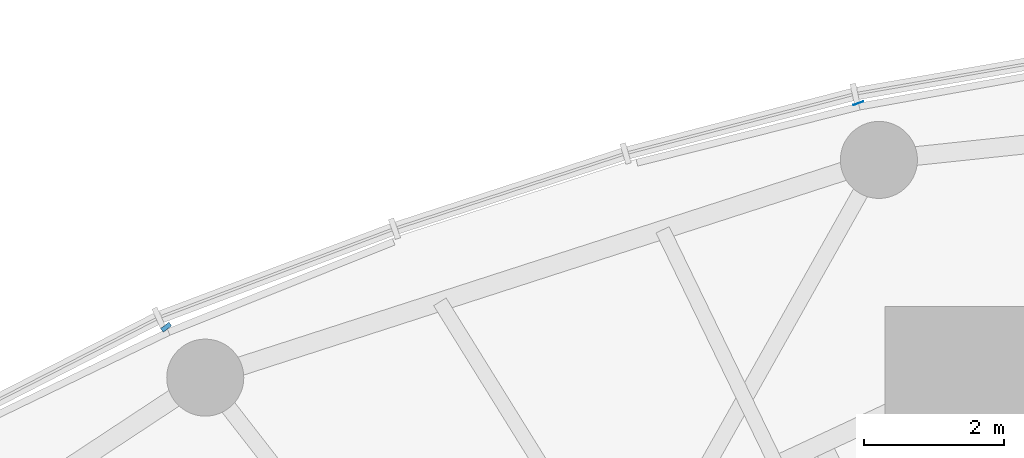
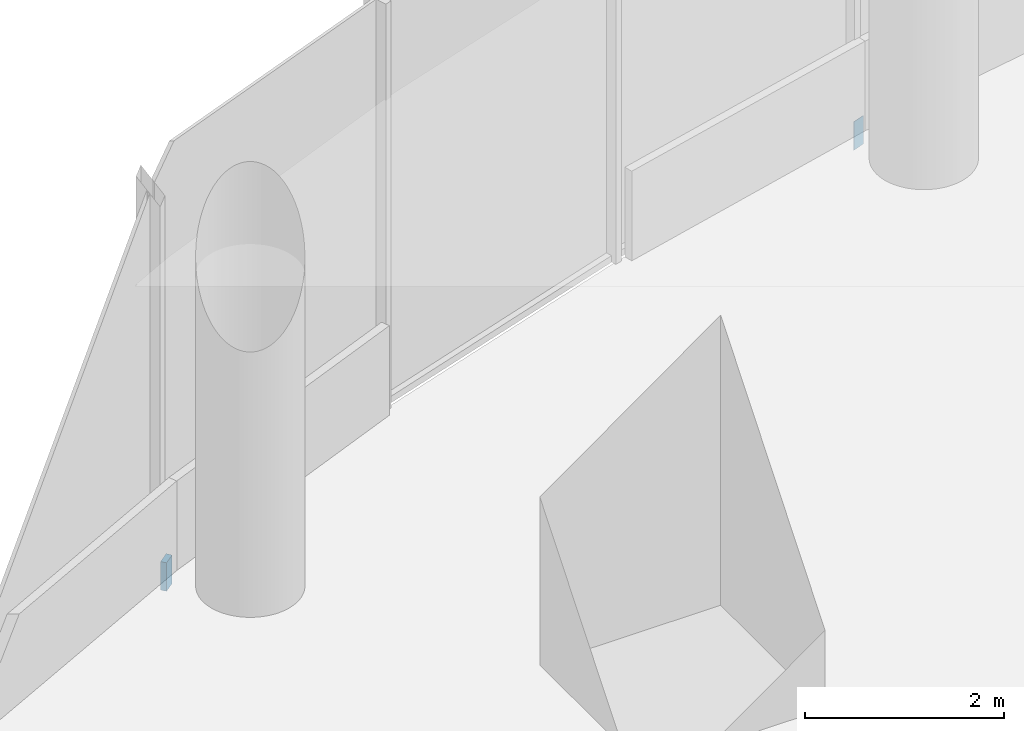
# One storey, part 18 of 27: 2 discrete accessories.
"""IFC4 building model written with IfcOpenShell, lengths in metres."""

from ifc_helpers import new_model, si_unit, direction, frame, origin, origin_2d, place, context, subcontext, project, spatial, rectangle, extrude, material, type_object, element, save


model = new_model("IFC4")

# Units and contexts
model_context = context("Model", 3, precision=1e-05, world=origin(), true_north=direction((0.0, 1.0)))
body_context = subcontext(model_context, "Body", "Model", "MODEL_VIEW")
ifc_project = project(units=[si_unit("LENGTHUNIT", "METRE"), si_unit("AREAUNIT", "SQUARE_METRE"), si_unit("VOLUMEUNIT", "CUBIC_METRE"), si_unit("PLANEANGLEUNIT", "RADIAN"), si_unit("MASSUNIT", "GRAM", prefix="KILO")], contexts=[model_context])

# Site, building, storey
site_placement = place(None, origin())
site = spatial("IfcSite", under=ifc_project, at=site_placement, CompositionType="ELEMENT")
building_placement = place(site_placement, origin())
building = spatial("IfcBuilding", under=site, at=building_placement, Name="Ghaith Harvest Tower", CompositionType="ELEMENT")
storey_placement = place(building_placement, frame((0.0, 0.0, 10.0)))
storey = spatial("IfcBuildingStorey", under=building, at=storey_placement, Name="L02", CompositionType="ELEMENT", Elevation=10.0)

# Discrete accessories
ifc_material_1 = material(Name="Stainless steel grade 1.4401", Category="steel")
discrete_accessory_type_1 = type_object("IfcDiscreteAccessoryType", Name="CURTAIN WALL BRACKET 5", PredefinedType="BRACKET", material=ifc_material_1)
discrete_accessory_1_placement = place(storey_placement, frame((-10.75439453125, 29.775634765625, -0.25), z_axis=(0.0, 0.0, 1.0), x_axis=(-0.339699453402, 0.94053404051, 0.0)))
element("IfcDiscreteAccessory", 1, at=discrete_accessory_1_placement, inside=storey, type_object=discrete_accessory_type_1, Name="CW-P bracket 1 bay 07 L02", PredefinedType="BRACKET", context=body_context, shape_type="SweptSolid", body=[
    extrude(rectangle(XDim=0.0048828125, YDim=0.14990234375, at=origin_2d()), origin(), (0.0, 0.0, 1.0), 0.35009765625),
])
ifc_material_2 = material(Name="Stainless steel grade 1.4401", Category="steel")
discrete_accessory_type_2 = type_object("IfcDiscreteAccessoryType", Name="CURTAIN WALL BRACKET 65", PredefinedType="BRACKET", material=ifc_material_2)
discrete_accessory_2_placement = place(storey_placement, frame((-20.64111328125, 26.577880859375, -0.25), z_axis=(0.0, 0.0, 1.0), x_axis=(-0.613377714422, 0.78978970584, 0.0)))
element("IfcDiscreteAccessory", 2, at=discrete_accessory_2_placement, inside=storey, type_object=discrete_accessory_type_2, Name="CW-P bracket 1 bay 08 L02", PredefinedType="BRACKET", context=body_context, shape_type="SweptSolid", body=[
    extrude(rectangle(XDim=0.06494140625, YDim=0.14990234375, at=origin_2d()), origin(), (0.0, 0.0, 1.0), 0.35009765625),
])

save(model, "model.ifc")
